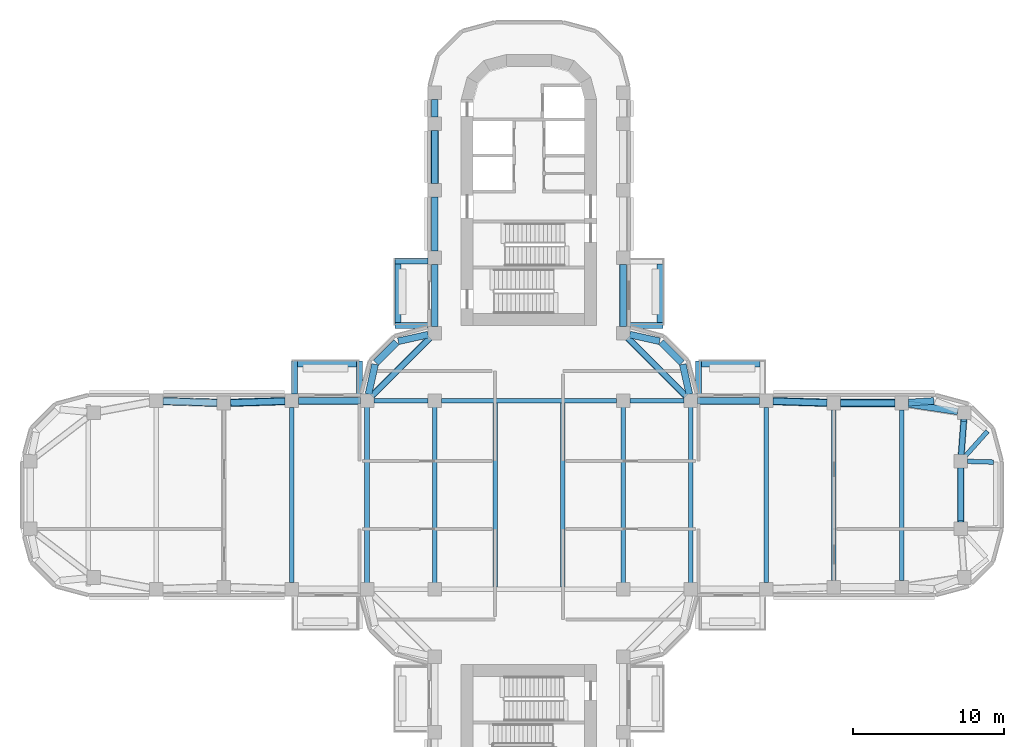
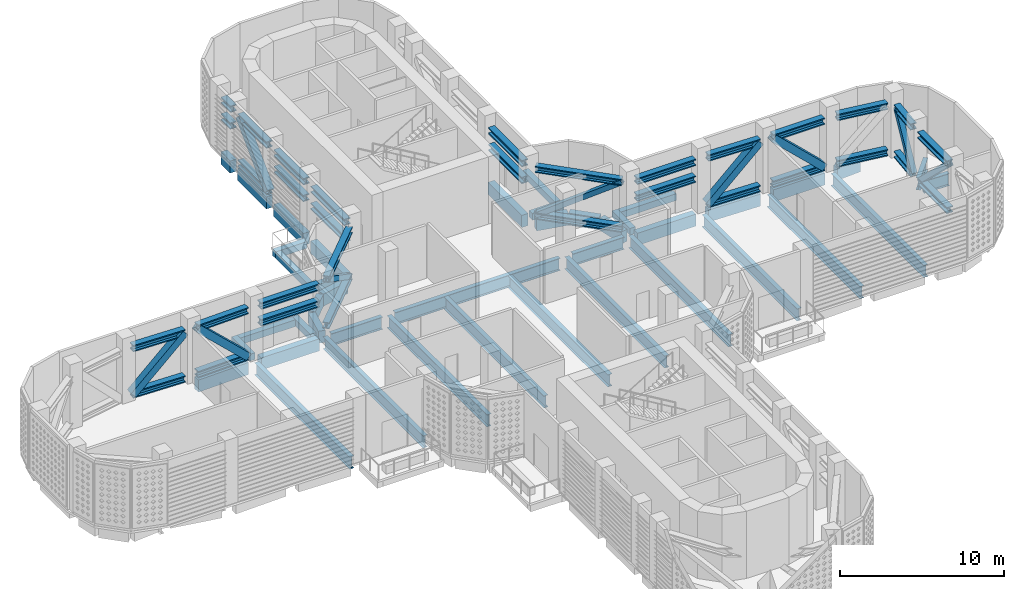
# One storey, part 3 of 20: 42 beams, 41 members.
"""IFC4 building model written with IfcOpenShell, lengths in metres."""

from ifc_helpers import new_model, si_unit, direction, frame, origin, origin_2d, place, context, subcontext, project, spatial, rectangle, hollow_rectangle, i_section, extrude, material, material_profile, profile_set, type_object, element, save


model = new_model("IFC4")

# Units and contexts
model_context = context("Model", 3, precision=1e-05, world=origin(), true_north=direction((0.0, 1.0)))
body_context = subcontext(model_context, "Body", "Model", "MODEL_VIEW")
ifc_project = project(units=[si_unit("LENGTHUNIT", "METRE"), si_unit("AREAUNIT", "SQUARE_METRE"), si_unit("VOLUMEUNIT", "CUBIC_METRE"), si_unit("PLANEANGLEUNIT", "RADIAN"), si_unit("MASSUNIT", "GRAM", prefix="KILO")], contexts=[model_context])

# Site, building, storey
site_placement = place(None, origin())
site = spatial("IfcSite", under=ifc_project, at=site_placement, CompositionType="ELEMENT")
building_placement = place(site_placement, origin())
building = spatial("IfcBuilding", under=site, at=building_placement, Name="Zarbagh Exchange Tower", CompositionType="ELEMENT")
storey_placement = place(building_placement, frame((0.0, 0.0, 136.0)))
storey = spatial("IfcBuildingStorey", under=building, at=storey_placement, Name="L32", CompositionType="ELEMENT", Elevation=136.0)

# Members
ifc_material_1 = material(Name="Steel ASTM A992 Gr 50", Category="steel")
ifc_material_profile_1 = material_profile(ifc_material_1, i_section(OverallWidth=0.421630859375, OverallDepth=0.46484375, WebThickness=0.044921875, FlangeThickness=0.072509765625, at=origin_2d()), Name="W14X398")
ifc_profile_set_1 = profile_set([ifc_material_profile_1], Name="Steel ASTM A992 Gr 50")
member_type_1 = type_object("IfcMemberType", Name="Belt truss chord W14X398", PredefinedType="CHORD", material=ifc_profile_set_1)
for number, where, z_axis, x_axis, name in (
    (1, (-10.431884765625, 6.568115234375, 0.232421875), (0.707106781187, 0.707106781187, 0.0), (-0.707106781187, 0.707106781187, 0.0), "Belt truss chord"),
    (2, (-10.431884765625, 6.568115234375, 3.697509765625), (0.707106781187, 0.707106781187, 0.0), (-0.707106781187, 0.707106781187, 0.0), "Belt truss chord"),
    (3, (6.568115234375, 10.431884765625, 0.232421875), (0.707106781187, -0.707106781187, 0.0), (0.707106781187, 0.707106781187, 0.0), "Belt truss chord"),
    (4, (6.568115234375, 10.431884765625, 3.697509765625), (0.707106781187, -0.707106781187, 0.0), (0.707106781187, 0.707106781187, 0.0), "Belt truss chord"),
):
    element("IfcMember", number, at=place(storey_placement, frame(where, z_axis=z_axis, x_axis=x_axis)), inside=storey, type_object=member_type_1, Name=name, PredefinedType="CHORD", context=body_context, shape_type="SweptSolid", body=[
        extrude(i_section(OverallWidth=0.421630859375, OverallDepth=0.46484375, WebThickness=0.044921875, FlangeThickness=0.072509765625, at=origin_2d()), origin(), (0.0, 0.0, 1.0), 5.464111328125),
    ])
for number, where, z_axis, x_axis, name in (
    (5, (28.875, 5.026123046875, 0.232421875), (-0.073648183846, -0.997284284954, 0.0), (0.997284284954, -0.073648183846, 0.0), "Belt truss chord"),
    (6, (28.875, 5.026123046875, 3.697509765625), (-0.073648183846, -0.997284284954, 0.0), (0.997284284954, -0.073648183846, 0.0), "Belt truss chord"),
):
    element("IfcMember", number, at=place(storey_placement, frame(where, z_axis=z_axis, x_axis=x_axis)), inside=storey, type_object=member_type_1, Name=name, PredefinedType="CHORD", context=body_context, shape_type="SweptSolid", body=[
        extrude(i_section(OverallWidth=0.421630859375, OverallDepth=0.46484375, WebThickness=0.044921875, FlangeThickness=0.072509765625, at=origin_2d()), origin(), (0.0, 0.0, 1.0), 2.333740234375),
    ])
for number, where, z_axis, x_axis, name in (
    (7, (28.669921875, 1.800048828125, 0.232421875), (0.0, -1.0, 0.0), (1.0, 0.0, 0.0), "Belt truss chord"),
    (8, (28.669921875, 1.800048828125, 3.697509765625), (0.0, -1.0, 0.0), (1.0, 0.0, 0.0), "Belt truss chord"),
):
    element("IfcMember", number, at=place(storey_placement, frame(where, z_axis=z_axis, x_axis=x_axis)), inside=storey, type_object=member_type_1, Name=name, PredefinedType="CHORD", context=body_context, shape_type="SweptSolid", body=[
        extrude(i_section(OverallWidth=0.421630859375, OverallDepth=0.46484375, WebThickness=0.044921875, FlangeThickness=0.072509765625, at=origin_2d()), origin(), (0.0, 0.0, 1.0), 3.60009765625),
    ])
ifc_material_2 = material(Name="Steel ASTM A500 Gr C", Category="steel")
ifc_material_profile_2 = material_profile(ifc_material_2, hollow_rectangle(XDim=0.355712890625, YDim=0.355712890625, WallThickness=0.014892578125, at=origin_2d()), Name="HSS14X14X5/8")
ifc_profile_set_2 = profile_set([ifc_material_profile_2], Name="Steel ASTM A500 Gr C")
member_type_2 = type_object("IfcMemberType", Name="Belt truss diagonal HSS14X14X5/8", PredefinedType="BRACE", material=ifc_profile_set_2)
for number, where, z_axis, x_axis, name in (
    (9, (-6.568115234375, 10.431884765625, 0.232421875), (-0.597158313507, -0.597158313507, 0.535540752155), (0.707106781187, -0.707106781187, 0.0), "Belt truss diagonal"),
    (10, (6.568115234375, 10.431884765625, 0.232421875), (0.597158313507, -0.597158313507, 0.535540752155), (0.707106781187, 0.707106781187, 0.0), "Belt truss diagonal"),
):
    element("IfcMember", number, at=place(storey_placement, frame(where, z_axis=z_axis, x_axis=x_axis)), inside=storey, type_object=member_type_2, Name=name, PredefinedType="BRACE", context=body_context, shape_type="SweptSolid", body=[
        extrude(hollow_rectangle(XDim=0.355712890625, YDim=0.355712890625, WallThickness=0.014892578125, at=origin_2d()), origin(), (0.0, 0.0, 1.0), 6.47021484375),
    ])
member_1_placement = place(storey_placement, frame((28.703125, 2.69873046875, 0.232421875), z_axis=(0.04114111266, 0.557099754248, 0.829425869301), x_axis=(-0.997284284954, 0.073648183846, 0.0)))
element("IfcMember", 11, at=member_1_placement, inside=storey, type_object=member_type_2, Name="Belt truss diagonal", PredefinedType="BRACE", context=body_context, shape_type="SweptSolid", body=[
    extrude(hollow_rectangle(XDim=0.355712890625, YDim=0.355712890625, WallThickness=0.014892578125, at=origin_2d()), origin(), (0.0, 0.0, 1.0), 4.177734375),
])
member_2_placement = place(storey_placement, frame((28.669921875, 1.800048828125, 0.232421875), z_axis=(0.0, -0.720487463662, 0.693467962278), x_axis=(1.0, 0.0, 0.0)))
element("IfcMember", 12, at=member_2_placement, inside=storey, type_object=member_type_2, Name="Belt truss diagonal", PredefinedType="BRACE", context=body_context, shape_type="SweptSolid", body=[
    extrude(hollow_rectangle(XDim=0.355712890625, YDim=0.355712890625, WallThickness=0.014892578125, at=origin_2d()), origin(), (0.0, 0.0, 1.0), 4.996826171875),
])

# Beams
ifc_material_profile_3 = material_profile(ifc_material_1, i_section(OverallWidth=0.3046875, OverallDepth=0.904296875, WebThickness=0.01513671875, FlangeThickness=0.02001953125, at=origin_2d()), Name="W36X135")
ifc_profile_set_3 = profile_set([ifc_material_profile_3], Name="Steel ASTM A992 Gr 50")
beam_type_1 = type_object("IfcBeamType", Name="Floor beam W36X135", PredefinedType="BEAM", material=ifc_profile_set_3)
for number, where, z_axis, x_axis, name in (
    (13, (-10.75, -6.09765625, -0.60205078125), (0.0, 1.0, 0.0), (-1.0, 0.0, 0.0), "Steel floor beam"),
    (14, (-6.25, -6.09765625, -0.60205078125), (0.0, 1.0, 0.0), (-1.0, 0.0, 0.0), "Steel floor beam"),
    (15, (-2.25, -6.09765625, -0.60205078125), (0.0, 1.0, 0.0), (-1.0, 0.0, 0.0), "Steel floor beam"),
    (16, (2.25, -6.09765625, -0.60205078125), (0.0, 1.0, 0.0), (-1.0, 0.0, 0.0), "Steel floor beam"),
    (17, (6.25, -6.09765625, -0.60205078125), (0.0, 1.0, 0.0), (-1.0, 0.0, 0.0), "Steel floor beam"),
    (18, (10.75, -6.09765625, -0.60205078125), (0.0, 1.0, 0.0), (-1.0, 0.0, 0.0), "Steel floor beam"),
):
    element("IfcBeam", number, at=place(storey_placement, frame(where, z_axis=z_axis, x_axis=x_axis)), inside=storey, type_object=beam_type_1, Name=name, PredefinedType="BEAM", context=body_context, shape_type="SweptSolid", body=[
        extrude(i_section(OverallWidth=0.3046875, OverallDepth=0.904296875, WebThickness=0.01513671875, FlangeThickness=0.02001953125, at=origin_2d()), origin(), (0.0, 0.0, 1.0), 12.1953125),
    ])
beam_1_placement = place(storey_placement, frame((15.75, -5.800048828125, -0.60205078125), z_axis=(0.0, 1.0, 0.0), x_axis=(-1.0, 0.0, 0.0)))
element("IfcBeam", 19, at=beam_1_placement, inside=storey, type_object=beam_type_1, Name="Steel floor beam", PredefinedType="BEAM", context=body_context, shape_type="SweptSolid", body=[
    extrude(i_section(OverallWidth=0.3046875, OverallDepth=0.904296875, WebThickness=0.01513671875, FlangeThickness=0.02001953125, at=origin_2d()), origin(), (0.0, 0.0, 1.0), 11.60009765625),
])
for number, where, z_axis, x_axis, name in (
    (20, (20.25, -5.659912109375, -0.60205078125), (0.0, 1.0, 0.0), (-1.0, 0.0, 0.0), "Steel floor beam"),
    (21, (24.75, -5.659912109375, -0.60205078125), (0.0, 1.0, 0.0), (-1.0, 0.0, 0.0), "Steel floor beam"),
):
    element("IfcBeam", number, at=place(storey_placement, frame(where, z_axis=z_axis, x_axis=x_axis)), inside=storey, type_object=beam_type_1, Name=name, PredefinedType="BEAM", context=body_context, shape_type="SweptSolid", body=[
        extrude(i_section(OverallWidth=0.3046875, OverallDepth=0.904296875, WebThickness=0.01513671875, FlangeThickness=0.02001953125, at=origin_2d()), origin(), (0.0, 0.0, 1.0), 11.31982421875),
    ])
beam_2_placement = place(storey_placement, frame((-15.75, -5.800048828125, -0.60205078125), z_axis=(0.0, 1.0, 0.0), x_axis=(-1.0, 0.0, 0.0)))
element("IfcBeam", 22, at=beam_2_placement, inside=storey, type_object=beam_type_1, Name="Steel floor beam", PredefinedType="BEAM", context=body_context, shape_type="SweptSolid", body=[
    extrude(i_section(OverallWidth=0.3046875, OverallDepth=0.904296875, WebThickness=0.01513671875, FlangeThickness=0.02001953125, at=origin_2d()), origin(), (0.0, 0.0, 1.0), 11.60009765625),
])
ifc_material_profile_4 = material_profile(ifc_material_1, i_section(OverallWidth=0.3046875, OverallDepth=0.911865234375, WebThickness=0.015869140625, FlangeThickness=0.02392578125, at=origin_2d()), Name="W36X150")
ifc_profile_set_4 = profile_set([ifc_material_profile_4], Name="Steel ASTM A992 Gr 50")
beam_type_2 = type_object("IfcBeamType", Name="Floor girder W36X150", PredefinedType="BEAM", material=ifc_profile_set_4)
beam_3_placement = place(storey_placement, frame((30.44873046875, 4.2412109375, -0.60595703125), z_axis=(-0.666232102063, -0.745744450989, 0.0), x_axis=(0.745744450989, -0.666232102063, 0.0)))
element("IfcBeam", 23, at=beam_3_placement, inside=storey, type_object=beam_type_2, Name="Steel girder", PredefinedType="BEAM", context=body_context, shape_type="SweptSolid", body=[
    extrude(i_section(OverallWidth=0.3046875, OverallDepth=0.911865234375, WebThickness=0.015869140625, FlangeThickness=0.02392578125, at=origin_2d()), origin(), (0.0, 0.0, 1.0), 2.219970703125),
])
beam_4_placement = place(storey_placement, frame((29.119873046875, 2.2373046875, -0.60595703125), z_axis=(0.999602818669, -0.02818164135, 0.0), x_axis=(0.02818164135, 0.999602818669, 0.0)))
element("IfcBeam", 24, at=beam_4_placement, inside=storey, type_object=beam_type_2, Name="Steel girder", PredefinedType="BEAM", context=body_context, shape_type="SweptSolid", body=[
    extrude(i_section(OverallWidth=0.3046875, OverallDepth=0.911865234375, WebThickness=0.015869140625, FlangeThickness=0.02392578125, at=origin_2d()), origin(), (0.0, 0.0, 1.0), 1.732666015625),
])
beam_5_placement = place(storey_placement, frame((-10.300048828125, 6.25, -0.60595703125), z_axis=(1.0, 0.0, 0.0), x_axis=(0.0, 1.0, 0.0)))
element("IfcBeam", 25, at=beam_5_placement, inside=storey, type_object=beam_type_2, Name="Steel girder", PredefinedType="BEAM", context=body_context, shape_type="SweptSolid", body=[
    extrude(i_section(OverallWidth=0.3046875, OverallDepth=0.911865234375, WebThickness=0.015869140625, FlangeThickness=0.02392578125, at=origin_2d()), origin(), (0.0, 0.0, 1.0), 3.60009765625),
])
beam_6_placement = place(storey_placement, frame((-5.800048828125, 6.25, -0.60595703125), z_axis=(1.0, 0.0, 0.0), x_axis=(0.0, 1.0, 0.0)))
element("IfcBeam", 26, at=beam_6_placement, inside=storey, type_object=beam_type_2, Name="Steel girder", PredefinedType="BEAM", context=body_context, shape_type="SweptSolid", body=[
    extrude(i_section(OverallWidth=0.3046875, OverallDepth=0.911865234375, WebThickness=0.015869140625, FlangeThickness=0.02392578125, at=origin_2d()), origin(), (0.0, 0.0, 1.0), 11.60009765625),
])
beam_7_placement = place(storey_placement, frame((6.699951171875, 6.25, -0.60595703125), z_axis=(1.0, 0.0, 0.0), x_axis=(0.0, 1.0, 0.0)))
element("IfcBeam", 27, at=beam_7_placement, inside=storey, type_object=beam_type_2, Name="Steel girder", PredefinedType="BEAM", context=body_context, shape_type="SweptSolid", body=[
    extrude(i_section(OverallWidth=0.3046875, OverallDepth=0.911865234375, WebThickness=0.015869140625, FlangeThickness=0.02392578125, at=origin_2d()), origin(), (0.0, 0.0, 1.0), 3.60009765625),
])

# Members
ifc_material_profile_5 = material_profile(ifc_material_1, i_section(OverallWidth=0.4267578125, OverallDepth=0.482666015625, WebThickness=0.05126953125, FlangeThickness=0.08154296875, at=origin_2d()), Name="W14X455")
ifc_profile_set_5 = profile_set([ifc_material_profile_5], Name="Steel ASTM A992 Gr 50")
member_type_3 = type_object("IfcMemberType", Name="Outrigger truss chord W14X455", PredefinedType="CHORD", material=ifc_profile_set_5)
for number, where, z_axis, x_axis, name in (
    (28, (-24.30029296875, 6.236083984375, 0.2412109375), (0.999516035224, -0.031107801747, 0.0), (0.031107801747, 0.999516035224, 0.0), "Outrigger truss chord"),
    (29, (-24.30029296875, 6.236083984375, 3.688720703125), (0.999516035224, -0.031107801747, 0.0), (0.031107801747, 0.999516035224, 0.0), "Outrigger truss chord"),
    (30, (-19.80029296875, 6.1240234375, 0.2412109375), (0.999516035224, 0.031107801747, 0.0), (-0.031107801747, 0.999516035224, 0.0), "Outrigger truss chord"),
    (31, (-19.80029296875, 6.1240234375, 3.688720703125), (0.999516035224, 0.031107801747, 0.0), (-0.031107801747, 0.999516035224, 0.0), "Outrigger truss chord"),
):
    element("IfcMember", number, at=place(storey_placement, frame(where, z_axis=z_axis, x_axis=x_axis)), inside=storey, type_object=member_type_3, Name=name, PredefinedType="CHORD", context=body_context, shape_type="SweptSolid", body=[
        extrude(i_section(OverallWidth=0.4267578125, OverallDepth=0.482666015625, WebThickness=0.05126953125, FlangeThickness=0.08154296875, at=origin_2d()), origin(), (0.0, 0.0, 1.0), 3.602294921875),
    ])
for number, where, z_axis, x_axis, name in (
    (32, (-15.300048828125, 6.25, 2.44140625), (1.0, 0.0, 0.0), (0.0, 1.0, 0.0), "Outrigger truss chord"),
    (33, (-15.300048828125, 6.25, 3.688720703125), (1.0, 0.0, 0.0), (0.0, 1.0, 0.0), "Outrigger truss chord"),
    (34, (-6.25, 11.199951171875, 2.44140625), (0.0, 1.0, 0.0), (-1.0, 0.0, 0.0), "Outrigger truss chord"),
    (35, (-6.25, 11.199951171875, 3.688720703125), (0.0, 1.0, 0.0), (-1.0, 0.0, 0.0), "Outrigger truss chord"),
):
    element("IfcMember", number, at=place(storey_placement, frame(where, z_axis=z_axis, x_axis=x_axis)), inside=storey, type_object=member_type_3, Name=name, PredefinedType="CHORD", context=body_context, shape_type="SweptSolid", body=[
        extrude(i_section(OverallWidth=0.4267578125, OverallDepth=0.482666015625, WebThickness=0.05126953125, FlangeThickness=0.08154296875, at=origin_2d()), origin(), (0.0, 0.0, 1.0), 4.10009765625),
    ])
for number, where, z_axis, x_axis, name in (
    (36, (-6.25, 16.199951171875, 2.44140625), (0.0, 1.0, 0.0), (-1.0, 0.0, 0.0), "Outrigger truss chord"),
    (37, (-6.25, 16.199951171875, 3.688720703125), (0.0, 1.0, 0.0), (-1.0, 0.0, 0.0), "Outrigger truss chord"),
):
    element("IfcMember", number, at=place(storey_placement, frame(where, z_axis=z_axis, x_axis=x_axis)), inside=storey, type_object=member_type_3, Name=name, PredefinedType="CHORD", context=body_context, shape_type="SweptSolid", body=[
        extrude(i_section(OverallWidth=0.4267578125, OverallDepth=0.482666015625, WebThickness=0.05126953125, FlangeThickness=0.08154296875, at=origin_2d()), origin(), (0.0, 0.0, 1.0), 3.60009765625),
    ])
for number, where, z_axis, x_axis, name in (
    (38, (-6.25, 20.699951171875, 0.2412109375), (0.0, 1.0, 0.0), (-1.0, 0.0, 0.0), "Outrigger truss chord"),
    (39, (-6.25, 20.699951171875, 3.688720703125), (0.0, 1.0, 0.0), (-1.0, 0.0, 0.0), "Outrigger truss chord"),
):
    element("IfcMember", number, at=place(storey_placement, frame(where, z_axis=z_axis, x_axis=x_axis)), inside=storey, type_object=member_type_3, Name=name, PredefinedType="CHORD", context=body_context, shape_type="SweptSolid", body=[
        extrude(i_section(OverallWidth=0.4267578125, OverallDepth=0.482666015625, WebThickness=0.05126953125, FlangeThickness=0.08154296875, at=origin_2d()), origin(), (0.0, 0.0, 1.0), 3.5),
    ])
for number, where, z_axis, x_axis, name in (
    (40, (-6.25, 25.10009765625, 2.44140625), (0.0, 1.0, 0.0), (-1.0, 0.0, 0.0), "Outrigger truss chord"),
    (41, (-6.25, 25.10009765625, 3.688720703125), (0.0, 1.0, 0.0), (-1.0, 0.0, 0.0), "Outrigger truss chord"),
):
    element("IfcMember", number, at=place(storey_placement, frame(where, z_axis=z_axis, x_axis=x_axis)), inside=storey, type_object=member_type_3, Name=name, PredefinedType="CHORD", context=body_context, shape_type="SweptSolid", body=[
        extrude(i_section(OverallWidth=0.4267578125, OverallDepth=0.482666015625, WebThickness=0.05126953125, FlangeThickness=0.08154296875, at=origin_2d()), origin(), (0.0, 0.0, 1.0), 1.14990234375),
    ])
for number, where, z_axis, x_axis, name in (
    (42, (6.25, 15.300048828125, 2.44140625), (0.0, -1.0, 0.0), (1.0, 0.0, 0.0), "Outrigger truss chord"),
    (43, (6.25, 15.300048828125, 3.688720703125), (0.0, -1.0, 0.0), (1.0, 0.0, 0.0), "Outrigger truss chord"),
    (44, (11.199951171875, 6.25, 2.44140625), (1.0, 0.0, 0.0), (0.0, 1.0, 0.0), "Outrigger truss chord"),
    (45, (11.199951171875, 6.25, 3.688720703125), (1.0, 0.0, 0.0), (0.0, 1.0, 0.0), "Outrigger truss chord"),
):
    element("IfcMember", number, at=place(storey_placement, frame(where, z_axis=z_axis, x_axis=x_axis)), inside=storey, type_object=member_type_3, Name=name, PredefinedType="CHORD", context=body_context, shape_type="SweptSolid", body=[
        extrude(i_section(OverallWidth=0.4267578125, OverallDepth=0.482666015625, WebThickness=0.05126953125, FlangeThickness=0.08154296875, at=origin_2d()), origin(), (0.0, 0.0, 1.0), 4.10009765625),
    ])
for number, where, z_axis, x_axis, name in (
    (46, (16.19970703125, 6.236083984375, 0.2412109375), (0.999516035224, -0.031107801747, 0.0), (0.031107801747, 0.999516035224, 0.0), "Outrigger truss chord"),
    (47, (16.19970703125, 6.236083984375, 3.688720703125), (0.999516035224, -0.031107801747, 0.0), (0.031107801747, 0.999516035224, 0.0), "Outrigger truss chord"),
):
    element("IfcMember", number, at=place(storey_placement, frame(where, z_axis=z_axis, x_axis=x_axis)), inside=storey, type_object=member_type_3, Name=name, PredefinedType="CHORD", context=body_context, shape_type="SweptSolid", body=[
        extrude(i_section(OverallWidth=0.4267578125, OverallDepth=0.482666015625, WebThickness=0.05126953125, FlangeThickness=0.08154296875, at=origin_2d()), origin(), (0.0, 0.0, 1.0), 3.602294921875),
    ])
for number, where, z_axis, x_axis, name in (
    (48, (20.699951171875, 6.110107421875, 0.2412109375), (1.0, 0.0, 0.0), (0.0, 1.0, 0.0), "Outrigger truss chord"),
    (49, (20.699951171875, 6.110107421875, 3.688720703125), (1.0, 0.0, 0.0), (0.0, 1.0, 0.0), "Outrigger truss chord"),
):
    element("IfcMember", number, at=place(storey_placement, frame(where, z_axis=z_axis, x_axis=x_axis)), inside=storey, type_object=member_type_3, Name=name, PredefinedType="CHORD", context=body_context, shape_type="SweptSolid", body=[
        extrude(i_section(OverallWidth=0.4267578125, OverallDepth=0.482666015625, WebThickness=0.05126953125, FlangeThickness=0.08154296875, at=origin_2d()), origin(), (0.0, 0.0, 1.0), 3.60009765625),
    ])
for number, where, z_axis, x_axis, name in (
    (50, (25.19482421875, 6.0419921875, 0.2412109375), (0.988543505948, -0.150936201252, 0.0), (0.150936201252, 0.988543505948, 0.0), "Outrigger truss chord"),
    (51, (25.19482421875, 6.0419921875, 3.688720703125), (0.988543505948, -0.150936201252, 0.0), (0.150936201252, 0.988543505948, 0.0), "Outrigger truss chord"),
):
    element("IfcMember", number, at=place(storey_placement, frame(where, z_axis=z_axis, x_axis=x_axis)), inside=storey, type_object=member_type_3, Name=name, PredefinedType="CHORD", context=body_context, shape_type="SweptSolid", body=[
        extrude(i_section(OverallWidth=0.4267578125, OverallDepth=0.482666015625, WebThickness=0.05126953125, FlangeThickness=0.08154296875, at=origin_2d()), origin(), (0.0, 0.0, 1.0), 3.30615234375),
    ])
ifc_material_profile_6 = material_profile(ifc_material_2, hollow_rectangle(XDim=0.508056640625, YDim=0.508056640625, WallThickness=0.017578125, at=origin_2d()), Name="HSS20X20X3/4")
ifc_profile_set_6 = profile_set([ifc_material_profile_6], Name="Steel ASTM A500 Gr C")
member_type_4 = type_object("IfcMemberType", Name="Outrigger truss diagonal HSS20X20X3/4", PredefinedType="BRACE", material=ifc_profile_set_6)
for number, where, z_axis, x_axis, name in (
    (52, (-24.30029296875, 6.236083984375, 0.2412109375), (0.722111521544, -0.022474178762, 0.691411499574), (0.031107801747, 0.999516035224, 0.0), "Outrigger truss diagonal"),
    (53, (-16.19970703125, 6.236083984375, 0.2412109375), (-0.722111521544, -0.022474178762, 0.691411499574), (0.031107801747, -0.999516035224, 0.0), "Outrigger truss diagonal"),
):
    element("IfcMember", number, at=place(storey_placement, frame(where, z_axis=z_axis, x_axis=x_axis)), inside=storey, type_object=member_type_4, Name=name, PredefinedType="BRACE", context=body_context, shape_type="SweptSolid", body=[
        extrude(hollow_rectangle(XDim=0.508056640625, YDim=0.508056640625, WallThickness=0.017578125, at=origin_2d()), origin(), (0.0, 0.0, 1.0), 4.986083984375),
    ])
member_3_placement = place(storey_placement, frame((-6.25, 20.699951171875, 0.2412109375), z_axis=(0.0, 0.712428822808, 0.701744378269), x_axis=(-1.0, 0.0, 0.0)))
element("IfcMember", 54, at=member_3_placement, inside=storey, type_object=member_type_4, Name="Outrigger truss diagonal", PredefinedType="BRACE", context=body_context, shape_type="SweptSolid", body=[
    extrude(hollow_rectangle(XDim=0.508056640625, YDim=0.508056640625, WallThickness=0.017578125, at=origin_2d()), origin(), (0.0, 0.0, 1.0), 4.912841796875),
])
member_4_placement = place(storey_placement, frame((16.19970703125, 6.236083984375, 0.2412109375), z_axis=(0.722111521544, -0.022474178762, 0.691411499574), x_axis=(0.031107801747, 0.999516035224, 0.0)))
element("IfcMember", 55, at=member_4_placement, inside=storey, type_object=member_type_4, Name="Outrigger truss diagonal", PredefinedType="BRACE", context=body_context, shape_type="SweptSolid", body=[
    extrude(hollow_rectangle(XDim=0.508056640625, YDim=0.508056640625, WallThickness=0.017578125, at=origin_2d()), origin(), (0.0, 0.0, 1.0), 4.986083984375),
])
member_5_placement = place(storey_placement, frame((24.300048828125, 6.110107421875, 0.2412109375), z_axis=(-0.722247101534, 0.0, 0.691635109234), x_axis=(0.0, -1.0, 0.0)))
element("IfcMember", 56, at=member_5_placement, inside=storey, type_object=member_type_4, Name="Outrigger truss diagonal", PredefinedType="BRACE", context=body_context, shape_type="SweptSolid", body=[
    extrude(hollow_rectangle(XDim=0.508056640625, YDim=0.508056640625, WallThickness=0.017578125, at=origin_2d()), origin(), (0.0, 0.0, 1.0), 4.984619140625),
])

# Beams
ifc_material_3 = material(Name="Concrete C40/50", Category="concrete")
ifc_material_profile_7 = material_profile(ifc_material_3, rectangle(XDim=0.39990234375, YDim=0.5, at=origin_2d()), Name="RC bay edge beam 400 x 500 C40/50")
ifc_profile_set_7 = profile_set([ifc_material_profile_7], Name="Concrete C40/50")
beam_type_3 = type_object("IfcBeamType", Name="RC bay edge beam 400 x 500 C40/50", PredefinedType="BEAM", material=ifc_profile_set_7)
for number, where, z_axis, x_axis, name in (
    (57, (8.699951171875, 11.449951171875, -0.39990234375), (0.0, 1.0, 0.0), (-1.0, 0.0, 0.0), "RC bay edge beam"),
    (58, (11.449951171875, 8.699951171875, -0.39990234375), (1.0, 0.0, 0.0), (0.0, 1.0, 0.0), "RC bay edge beam"),
    (59, (-8.699951171875, 11.449951171875, -0.39990234375), (0.0, 1.0, 0.0), (-1.0, 0.0, 0.0), "RC bay edge beam"),
    (60, (-15.35009765625, 8.699951171875, -0.39990234375), (1.0, 0.0, 0.0), (0.0, 1.0, 0.0), "RC bay edge beam"),
):
    element("IfcBeam", number, at=place(storey_placement, frame(where, z_axis=z_axis, x_axis=x_axis)), inside=storey, type_object=beam_type_3, Name=name, PredefinedType="BEAM", context=body_context, shape_type="SweptSolid", body=[
        extrude(rectangle(XDim=0.39990234375, YDim=0.5, at=origin_2d()), origin(), (0.0, 0.0, 1.0), 3.900146484375),
    ])
ifc_material_profile_8 = material_profile(ifc_material_3, rectangle(XDim=0.39990234375, YDim=0.5, at=origin_2d()), Name="RC cantilever beam 400 x 500 C40/50")
ifc_profile_set_8 = profile_set([ifc_material_profile_8], Name="Concrete C40/50")
beam_type_4 = type_object("IfcBeamType", Name="RC cantilever beam 400 x 500 C40/50", PredefinedType="BEAM", material=ifc_profile_set_8)
for number, where, z_axis, x_axis, name in (
    (61, (6.699951171875, 11.25, -0.39990234375), (1.0, 0.0, 0.0), (0.0, 1.0, 0.0), "RC cantilever beam"),
    (62, (11.25, 6.699951171875, -0.39990234375), (0.0, 1.0, 0.0), (-1.0, 0.0, 0.0), "RC cantilever beam"),
    (63, (-6.699951171875, 11.25, -0.39990234375), (-1.0, 0.0, 0.0), (0.0, -1.0, 0.0), "RC cantilever beam"),
    (64, (-6.699951171875, 15.550048828125, -0.39990234375), (-1.0, 0.0, 0.0), (0.0, -1.0, 0.0), "RC cantilever beam"),
    (65, (-15.550048828125, 6.699951171875, -0.39990234375), (0.0, 1.0, 0.0), (-1.0, 0.0, 0.0), "RC cantilever beam"),
    (66, (-11.25, 6.699951171875, -0.39990234375), (0.0, 1.0, 0.0), (-1.0, 0.0, 0.0), "RC cantilever beam"),
):
    element("IfcBeam", number, at=place(storey_placement, frame(where, z_axis=z_axis, x_axis=x_axis)), inside=storey, type_object=beam_type_4, Name=name, PredefinedType="BEAM", context=body_context, shape_type="SweptSolid", body=[
        extrude(rectangle(XDim=0.39990234375, YDim=0.5, at=origin_2d()), origin(), (0.0, 0.0, 1.0), 2.199951171875),
    ])
ifc_material_4 = material(Name="Concrete C60/75", Category="concrete")
ifc_material_profile_9 = material_profile(ifc_material_4, rectangle(XDim=0.449951171875, YDim=0.89990234375, at=origin_2d()), Name="RC spandrel beam 450 x 900 C60/75")
ifc_profile_set_9 = profile_set([ifc_material_profile_9], Name="Concrete C60/75")
beam_type_5 = type_object("IfcBeamType", Name="RC spandrel beam 450 x 900 C60/75", PredefinedType="SPANDREL", material=ifc_profile_set_9)
beam_8_placement = place(storey_placement, frame((-19.80029296875, 6.1240234375, -0.60009765625), z_axis=(0.999516035224, 0.031107801747, 0.0), x_axis=(-0.031107801747, 0.999516035224, 0.0)))
element("IfcBeam", 67, at=beam_8_placement, inside=storey, type_object=beam_type_5, Name="RC spandrel beam", PredefinedType="SPANDREL", context=body_context, shape_type="SweptSolid", body=[
    extrude(rectangle(XDim=0.449951171875, YDim=0.89990234375, at=origin_2d()), origin(), (0.0, 0.0, 1.0), 3.602294921875),
])
beam_9_placement = place(storey_placement, frame((-15.300048828125, 6.25, -0.60009765625), z_axis=(1.0, 0.0, 0.0), x_axis=(0.0, 1.0, 0.0)))
element("IfcBeam", 68, at=beam_9_placement, inside=storey, type_object=beam_type_5, Name="RC spandrel beam", PredefinedType="SPANDREL", context=body_context, shape_type="SweptSolid", body=[
    extrude(rectangle(XDim=0.449951171875, YDim=0.89990234375, at=origin_2d()), origin(), (0.0, 0.0, 1.0), 4.10009765625),
])
beam_10_placement = place(storey_placement, frame((-10.65283203125, 6.689453125, -0.60009765625), z_axis=(0.216117666208, 0.976367325525, 0.0), x_axis=(-0.976367325525, 0.216117666208, 0.0)))
element("IfcBeam", 69, at=beam_10_placement, inside=storey, type_object=beam_type_5, Name="RC spandrel beam", PredefinedType="SPANDREL", context=body_context, shape_type="SweptSolid", body=[
    extrude(rectangle(XDim=0.449951171875, YDim=0.89990234375, at=origin_2d()), origin(), (0.0, 0.0, 1.0), 2.03564453125),
])
beam_11_placement = place(storey_placement, frame((-10.15234375, 8.78759765625, -0.60009765625), z_axis=(0.707106781187, 0.707106781187, 0.0), x_axis=(-0.707106781187, 0.707106781187, 0.0)))
element("IfcBeam", 70, at=beam_11_placement, inside=storey, type_object=beam_type_5, Name="RC spandrel beam", PredefinedType="SPANDREL", context=body_context, shape_type="SweptSolid", body=[
    extrude(rectangle(XDim=0.449951171875, YDim=0.89990234375, at=origin_2d()), origin(), (0.0, 0.0, 1.0), 1.929931640625),
])
beam_12_placement = place(storey_placement, frame((-8.677001953125, 10.212890625, -0.60009765625), z_axis=(0.976367325525, 0.216117666208, 0.0), x_axis=(-0.216117666208, 0.976367325525, 0.0)))
element("IfcBeam", 71, at=beam_12_placement, inside=storey, type_object=beam_type_5, Name="RC spandrel beam", PredefinedType="SPANDREL", context=body_context, shape_type="SweptSolid", body=[
    extrude(rectangle(XDim=0.449951171875, YDim=0.89990234375, at=origin_2d()), origin(), (0.0, 0.0, 1.0), 2.03564453125),
])
beam_13_placement = place(storey_placement, frame((-6.25, 11.199951171875, -0.60009765625), z_axis=(0.0, 1.0, 0.0), x_axis=(-1.0, 0.0, 0.0)))
element("IfcBeam", 72, at=beam_13_placement, inside=storey, type_object=beam_type_5, Name="RC spandrel beam", PredefinedType="SPANDREL", context=body_context, shape_type="SweptSolid", body=[
    extrude(rectangle(XDim=0.449951171875, YDim=0.89990234375, at=origin_2d()), origin(), (0.0, 0.0, 1.0), 4.10009765625),
])
beam_14_placement = place(storey_placement, frame((-6.25, 16.199951171875, -0.60009765625), z_axis=(0.0, 1.0, 0.0), x_axis=(-1.0, 0.0, 0.0)))
element("IfcBeam", 73, at=beam_14_placement, inside=storey, type_object=beam_type_5, Name="RC spandrel beam", PredefinedType="SPANDREL", context=body_context, shape_type="SweptSolid", body=[
    extrude(rectangle(XDim=0.449951171875, YDim=0.89990234375, at=origin_2d()), origin(), (0.0, 0.0, 1.0), 3.60009765625),
])
beam_15_placement = place(storey_placement, frame((-6.25, 20.699951171875, -0.60009765625), z_axis=(0.0, 1.0, 0.0), x_axis=(-1.0, 0.0, 0.0)))
element("IfcBeam", 74, at=beam_15_placement, inside=storey, type_object=beam_type_5, Name="RC spandrel beam", PredefinedType="SPANDREL", context=body_context, shape_type="SweptSolid", body=[
    extrude(rectangle(XDim=0.449951171875, YDim=0.89990234375, at=origin_2d()), origin(), (0.0, 0.0, 1.0), 3.5),
])
beam_16_placement = place(storey_placement, frame((-6.25, 25.10009765625, -0.60009765625), z_axis=(0.0, 1.0, 0.0), x_axis=(-1.0, 0.0, 0.0)))
element("IfcBeam", 75, at=beam_16_placement, inside=storey, type_object=beam_type_5, Name="RC spandrel beam", PredefinedType="SPANDREL", context=body_context, shape_type="SweptSolid", body=[
    extrude(rectangle(XDim=0.449951171875, YDim=0.89990234375, at=origin_2d()), origin(), (0.0, 0.0, 1.0), 1.14990234375),
])
beam_17_placement = place(storey_placement, frame((6.25, 15.300048828125, -0.60009765625), z_axis=(0.0, -1.0, 0.0), x_axis=(1.0, 0.0, 0.0)))
element("IfcBeam", 76, at=beam_17_placement, inside=storey, type_object=beam_type_5, Name="RC spandrel beam", PredefinedType="SPANDREL", context=body_context, shape_type="SweptSolid", body=[
    extrude(rectangle(XDim=0.449951171875, YDim=0.89990234375, at=origin_2d()), origin(), (0.0, 0.0, 1.0), 4.10009765625),
])
beam_18_placement = place(storey_placement, frame((6.689453125, 10.65283203125, -0.60009765625), z_axis=(0.976367325525, -0.216117666208, 0.0), x_axis=(0.216117666208, 0.976367325525, 0.0)))
element("IfcBeam", 77, at=beam_18_placement, inside=storey, type_object=beam_type_5, Name="RC spandrel beam", PredefinedType="SPANDREL", context=body_context, shape_type="SweptSolid", body=[
    extrude(rectangle(XDim=0.449951171875, YDim=0.89990234375, at=origin_2d()), origin(), (0.0, 0.0, 1.0), 2.03564453125),
])
beam_19_placement = place(storey_placement, frame((8.78759765625, 10.15234375, -0.60009765625), z_axis=(0.707106781187, -0.707106781187, 0.0), x_axis=(0.707106781187, 0.707106781187, 0.0)))
element("IfcBeam", 78, at=beam_19_placement, inside=storey, type_object=beam_type_5, Name="RC spandrel beam", PredefinedType="SPANDREL", context=body_context, shape_type="SweptSolid", body=[
    extrude(rectangle(XDim=0.449951171875, YDim=0.89990234375, at=origin_2d()), origin(), (0.0, 0.0, 1.0), 1.929931640625),
])
beam_20_placement = place(storey_placement, frame((10.212890625, 8.677001953125, -0.60009765625), z_axis=(0.216117666208, -0.976367325525, 0.0), x_axis=(0.976367325525, 0.216117666208, 0.0)))
element("IfcBeam", 79, at=beam_20_placement, inside=storey, type_object=beam_type_5, Name="RC spandrel beam", PredefinedType="SPANDREL", context=body_context, shape_type="SweptSolid", body=[
    extrude(rectangle(XDim=0.449951171875, YDim=0.89990234375, at=origin_2d()), origin(), (0.0, 0.0, 1.0), 2.03564453125),
])
beam_21_placement = place(storey_placement, frame((11.199951171875, 6.25, -0.60009765625), z_axis=(1.0, 0.0, 0.0), x_axis=(0.0, 1.0, 0.0)))
element("IfcBeam", 80, at=beam_21_placement, inside=storey, type_object=beam_type_5, Name="RC spandrel beam", PredefinedType="SPANDREL", context=body_context, shape_type="SweptSolid", body=[
    extrude(rectangle(XDim=0.449951171875, YDim=0.89990234375, at=origin_2d()), origin(), (0.0, 0.0, 1.0), 4.10009765625),
])
beam_22_placement = place(storey_placement, frame((16.19970703125, 6.236083984375, -0.60009765625), z_axis=(0.999516035224, -0.031107801747, 0.0), x_axis=(0.031107801747, 0.999516035224, 0.0)))
element("IfcBeam", 81, at=beam_22_placement, inside=storey, type_object=beam_type_5, Name="RC spandrel beam", PredefinedType="SPANDREL", context=body_context, shape_type="SweptSolid", body=[
    extrude(rectangle(XDim=0.449951171875, YDim=0.89990234375, at=origin_2d()), origin(), (0.0, 0.0, 1.0), 3.602294921875),
])
beam_23_placement = place(storey_placement, frame((20.699951171875, 6.110107421875, -0.60009765625), z_axis=(1.0, 0.0, 0.0), x_axis=(0.0, 1.0, 0.0)))
element("IfcBeam", 82, at=beam_23_placement, inside=storey, type_object=beam_type_5, Name="RC spandrel beam", PredefinedType="SPANDREL", context=body_context, shape_type="SweptSolid", body=[
    extrude(rectangle(XDim=0.449951171875, YDim=0.89990234375, at=origin_2d()), origin(), (0.0, 0.0, 1.0), 3.60009765625),
])
beam_24_placement = place(storey_placement, frame((25.19921875, 6.138916015625, -0.60009765625), z_axis=(0.997955762545, 0.063908497109, 0.0), x_axis=(-0.063908497109, 0.997955762545, 0.0)))
element("IfcBeam", 83, at=beam_24_placement, inside=storey, type_object=beam_type_5, Name="RC spandrel beam", PredefinedType="SPANDREL", context=body_context, shape_type="SweptSolid", body=[
    extrude(rectangle(XDim=0.449951171875, YDim=0.89990234375, at=origin_2d()), origin(), (0.0, 0.0, 1.0), 1.6884765625),
])

save(model, "model.ifc")
